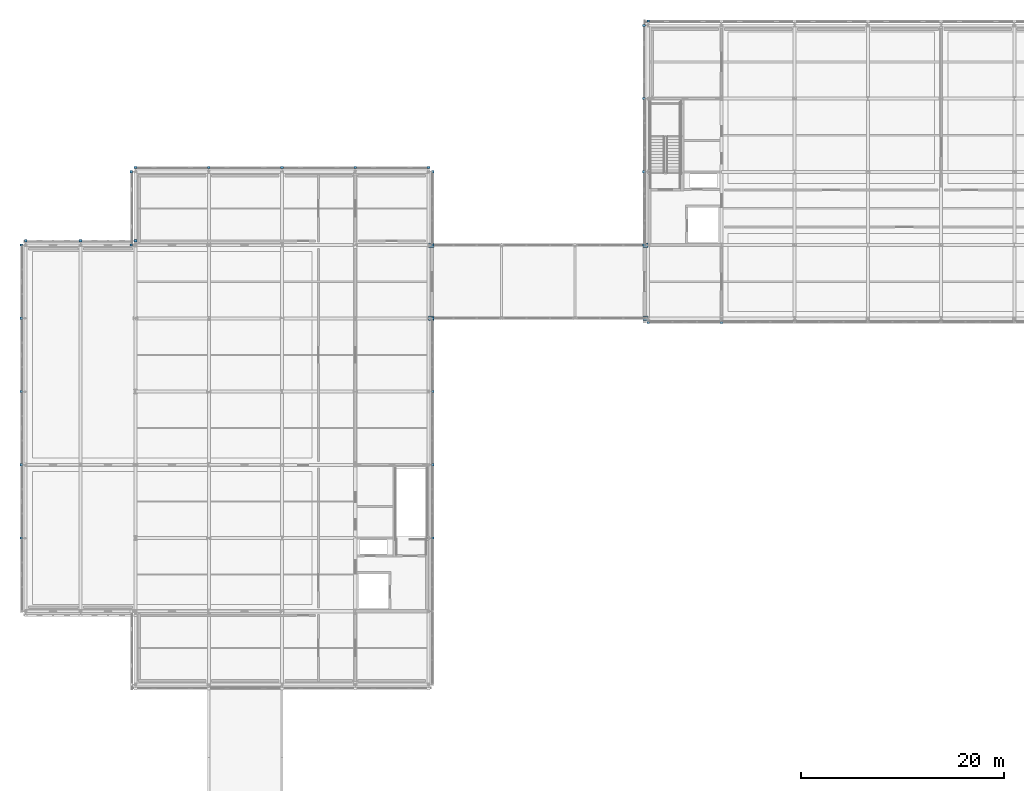
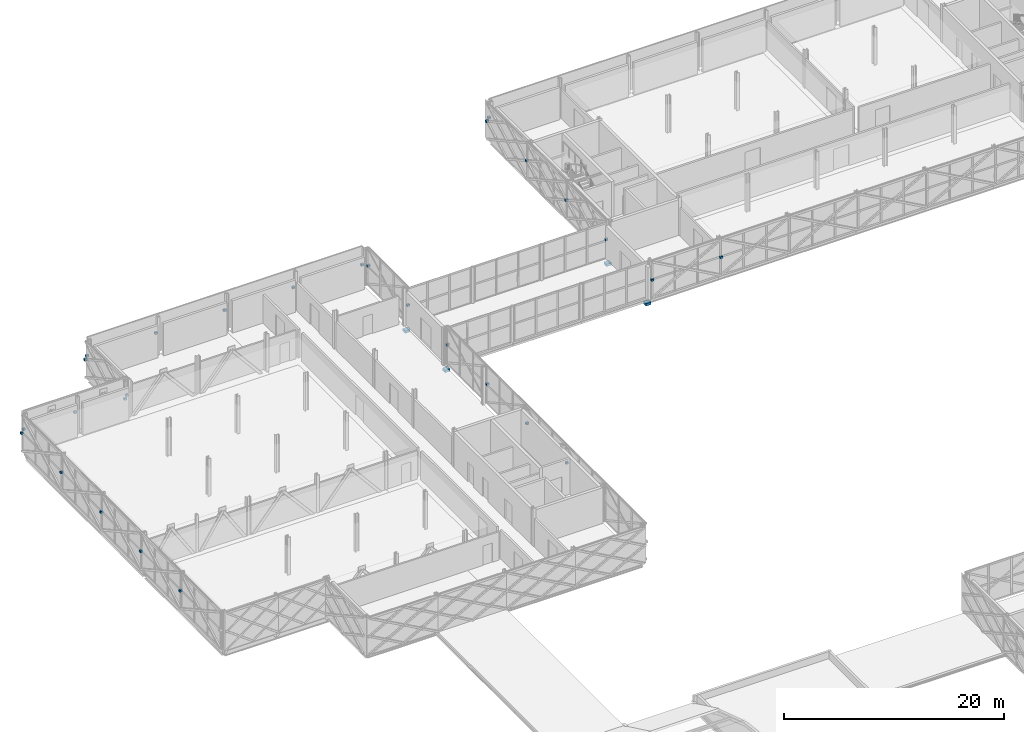
# One storey, part 94 of 103: 32 discrete accessories.
"""IFC4 building model written with IfcOpenShell, lengths in metres."""

from ifc_helpers import new_model, si_unit, direction, frame, origin, origin_2d, place, context, subcontext, project, spatial, rectangle, extrude, material, type_object, element, save


model = new_model("IFC4")

# Units and contexts
model_context = context("Model", 3, precision=1e-05, world=origin(), true_north=direction((0.0, 1.0)))
body_context = subcontext(model_context, "Body", "Model", "MODEL_VIEW")
ifc_project = project(units=[si_unit("LENGTHUNIT", "METRE"), si_unit("AREAUNIT", "SQUARE_METRE"), si_unit("VOLUMEUNIT", "CUBIC_METRE"), si_unit("PLANEANGLEUNIT", "RADIAN"), si_unit("MASSUNIT", "GRAM", prefix="KILO")], contexts=[model_context])

# Site, building, storey
site_placement = place(None, origin())
site = spatial("IfcSite", under=ifc_project, at=site_placement, CompositionType="ELEMENT")
building_placement = place(site_placement, origin())
building = spatial("IfcBuilding", under=site, at=building_placement, Name="Zlatovets Crest Museum", CompositionType="ELEMENT")
storey_placement = place(building_placement, frame((0.0, 0.0, 12.89990234375)))
storey = spatial("IfcBuildingStorey", under=building, at=storey_placement, Name="L03", CompositionType="ELEMENT", Elevation=12.89990234375)

# Discrete accessories
ifc_material = material(Name="Structural steel S355J2", Category="steel")
discrete_accessory_type_1 = type_object("IfcDiscreteAccessoryType", Name="BridgeBearingSeat_BS01", PredefinedType="SHOE", material=ifc_material)
for number, where, z_axis, x_axis, name in (
    (1, (36.260009765625, 86.39990234375, -0.77001953125), (0.0, 0.0, 1.0), (1.0, 0.0, 0.0), "Northwest Crest Glazed Link Bridge L03 520mm Sliding Bearing Seat Corbel Shoe"),
    (2, (36.260009765625, 93.60009765625, -0.77001953125), (0.0, 0.0, 1.0), (1.0, 0.0, 0.0), "Northwest Crest Glazed Link Bridge L03 520mm Sliding Bearing Seat Corbel Shoe"),
    (3, (57.340087890625, 86.39990234375, -0.77001953125), (0.0, 0.0, 1.0), (1.0, 0.0, 0.0), "Northwest Crest Glazed Link Bridge L03 520mm Sliding Bearing Seat Corbel Shoe"),
    (4, (57.340087890625, 93.60009765625, -0.77001953125), (0.0, 0.0, 1.0), (1.0, 0.0, 0.0), "Northwest Crest Glazed Link Bridge L03 520mm Sliding Bearing Seat Corbel Shoe"),
):
    element("IfcDiscreteAccessory", number, at=place(storey_placement, frame(where, z_axis=z_axis, x_axis=x_axis)), inside=storey, type_object=discrete_accessory_type_1, Name=name, PredefinedType="SHOE", context=body_context, shape_type="SweptSolid", body=[
        extrude(rectangle(XDim=0.52001953125, YDim=0.449951171875, at=origin_2d()), origin(), (0.0, 0.0, 1.0), 0.280029296875),
    ])
discrete_accessory_type_2 = type_object("IfcDiscreteAccessoryType", Name="LatticeBracket_BK01", PredefinedType="BRACKET", material=ifc_material)
for number, where, z_axis, x_axis, name in (
    (5, (57.60009765625, 85.97998046875, 1.990234375), (0.0, 0.0, 1.0), (1.0, 0.0, 0.0), "Bronze Lattice Structural Collector Bracket"),
    (6, (64.800048828125, 85.97998046875, 1.990234375), (0.0, 0.0, 1.0), (1.0, 0.0, 0.0), "Bronze Lattice Structural Collector Bracket"),
    (7, (57.60009765625, 115.6201171875, 1.990234375), (0.0, 0.0, 1.0), (1.0, 0.0, 0.0), "Bronze Lattice Structural Collector Bracket"),
    (8, (57.179931640625, 115.199951171875, 1.990234375), (0.0, 0.0, 1.0), (1.0, 0.0, 0.0), "Bronze Lattice Structural Collector Bracket"),
    (9, (57.179931640625, 108.0, 1.990234375), (0.0, 0.0, 1.0), (1.0, 0.0, 0.0), "Bronze Lattice Structural Collector Bracket"),
    (10, (57.179931640625, 100.800048828125, 1.990234375), (0.0, 0.0, 1.0), (1.0, 0.0, 0.0), "Bronze Lattice Structural Collector Bracket"),
    (11, (57.179931640625, 93.60009765625, 1.990234375), (0.0, 0.0, 1.0), (1.0, 0.0, 0.0), "Bronze Lattice Structural Collector Bracket"),
    (12, (36.419921875, 64.800048828125, 1.990234375), (0.0, 0.0, 1.0), (1.0, 0.0, 0.0), "Bronze Lattice Structural Collector Bracket"),
    (13, (36.419921875, 72.0, 1.990234375), (0.0, 0.0, 1.0), (1.0, 0.0, 0.0), "Bronze Lattice Structural Collector Bracket"),
    (14, (36.419921875, 79.199951171875, 1.990234375), (0.0, 0.0, 1.0), (1.0, 0.0, 0.0), "Bronze Lattice Structural Collector Bracket"),
    (15, (36.419921875, 86.39990234375, 1.990234375), (0.0, 0.0, 1.0), (1.0, 0.0, 0.0), "Bronze Lattice Structural Collector Bracket"),
    (16, (36.419921875, 93.60009765625, 1.990234375), (0.0, 0.0, 1.0), (1.0, 0.0, 0.0), "Bronze Lattice Structural Collector Bracket"),
    (17, (36.419921875, 100.800048828125, 1.990234375), (0.0, 0.0, 1.0), (1.0, 0.0, 0.0), "Bronze Lattice Structural Collector Bracket"),
    (18, (14.39990234375, 101.219970703125, 1.990234375), (0.0, 0.0, 1.0), (1.0, 0.0, 0.0), "Bronze Lattice Structural Collector Bracket"),
    (19, (7.199951171875, 101.219970703125, 1.990234375), (0.0, 0.0, 1.0), (1.0, 0.0, 0.0), "Bronze Lattice Structural Collector Bracket"),
    (20, (21.60009765625, 101.219970703125, 1.990234375), (0.0, 0.0, 1.0), (1.0, 0.0, 0.0), "Bronze Lattice Structural Collector Bracket"),
    (21, (28.800048828125, 101.219970703125, 1.990234375), (0.0, 0.0, 1.0), (1.0, 0.0, 0.0), "Bronze Lattice Structural Collector Bracket"),
    (22, (36.0, 101.219970703125, 1.990234375), (0.0, 0.0, 1.0), (1.0, 0.0, 0.0), "Bronze Lattice Structural Collector Bracket"),
    (23, (6.780029296875, 100.800048828125, 1.990234375), (0.0, 0.0, 1.0), (1.0, 0.0, 0.0), "Bronze Lattice Structural Collector Bracket"),
    (24, (6.780029296875, 93.60009765625, 1.990234375), (0.0, 0.0, 1.0), (1.0, 0.0, 0.0), "Bronze Lattice Structural Collector Bracket"),
    (25, (7.199951171875, 94.02001953125, 1.990234375), (0.0, 0.0, 1.0), (1.0, 0.0, 0.0), "Bronze Lattice Structural Collector Bracket"),
    (26, (1.800048828125, 94.02001953125, 1.990234375), (0.0, 0.0, 1.0), (1.0, 0.0, 0.0), "Bronze Lattice Structural Collector Bracket"),
    (27, (-3.60009765625, 94.02001953125, 1.990234375), (0.0, 0.0, 1.0), (1.0, 0.0, 0.0), "Bronze Lattice Structural Collector Bracket"),
    (28, (-4.02001953125, 93.60009765625, 1.990234375), (0.0, 0.0, 1.0), (1.0, 0.0, 0.0), "Bronze Lattice Structural Collector Bracket"),
    (29, (-4.02001953125, 86.39990234375, 1.990234375), (0.0, 0.0, 1.0), (1.0, 0.0, 0.0), "Bronze Lattice Structural Collector Bracket"),
    (30, (-4.02001953125, 79.199951171875, 1.990234375), (0.0, 0.0, 1.0), (1.0, 0.0, 0.0), "Bronze Lattice Structural Collector Bracket"),
    (31, (-4.02001953125, 72.0, 1.990234375), (0.0, 0.0, 1.0), (1.0, 0.0, 0.0), "Bronze Lattice Structural Collector Bracket"),
    (32, (-4.02001953125, 64.800048828125, 1.990234375), (0.0, 0.0, 1.0), (1.0, 0.0, 0.0), "Bronze Lattice Structural Collector Bracket"),
):
    element("IfcDiscreteAccessory", number, at=place(storey_placement, frame(where, z_axis=z_axis, x_axis=x_axis)), inside=storey, type_object=discrete_accessory_type_2, Name=name, PredefinedType="BRACKET", context=body_context, shape_type="SweptSolid", body=[
        extrude(rectangle(XDim=0.280029296875, YDim=0.219970703125, at=origin_2d()), origin(), (0.0, 0.0, 1.0), 0.219970703125),
    ])

save(model, "model.ifc")
